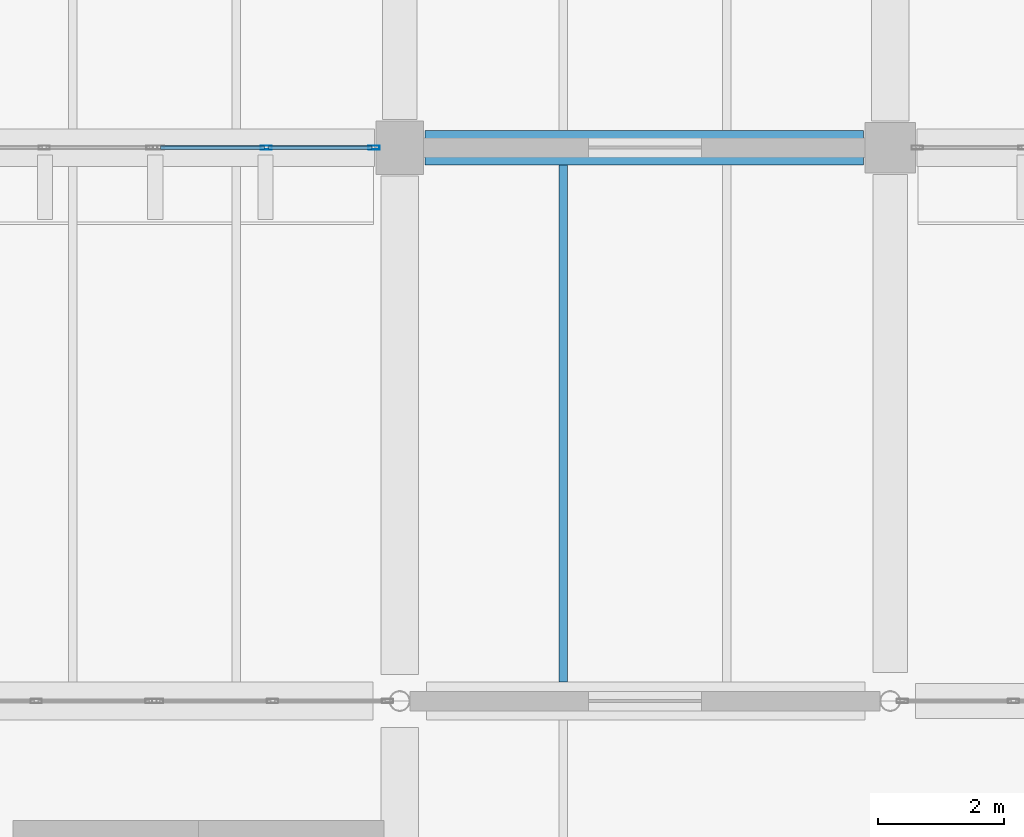
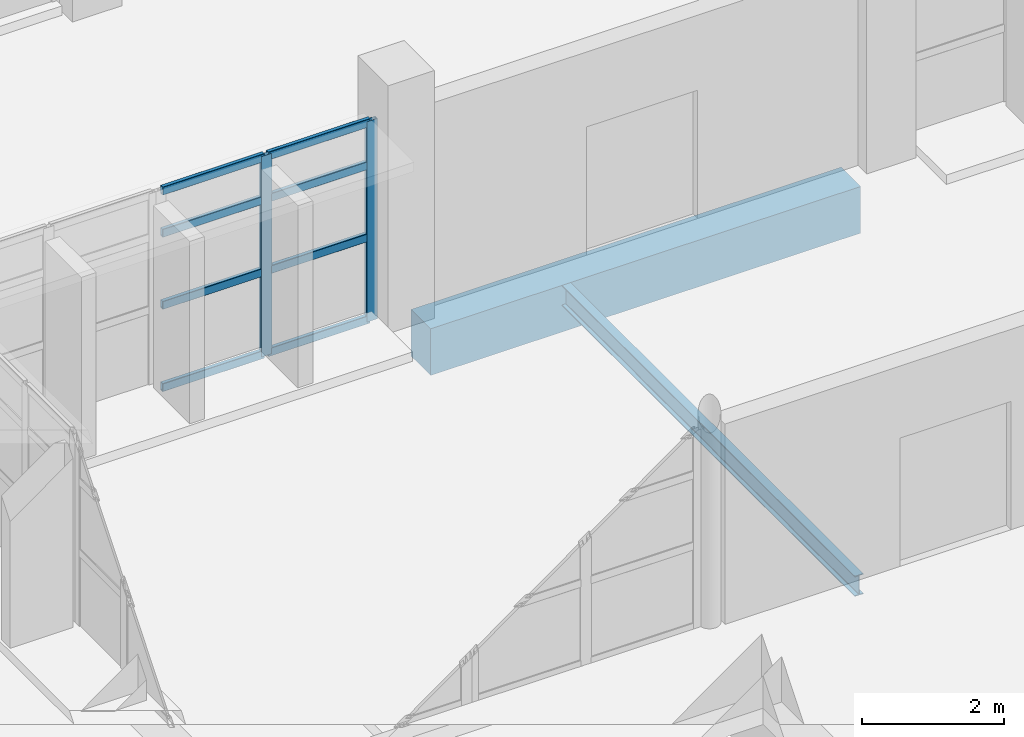
# One storey, part 19 of 76: 10 members, 2 beams, 1 element without a shape of its own.
"""IFC4 building model written with IfcOpenShell, lengths in metres."""

from ifc_helpers import new_model, si_unit, direction, frame, origin, origin_2d, place, context, subcontext, project, spatial, rectangle, hollow_rectangle, i_section, extrude, material, material_profile, profile_set, type_object, element, aggregate, save


model = new_model("IFC4")

# Units and contexts
model_context = context("Model", 3, precision=1e-05, world=origin(), true_north=direction((0.0, 1.0)))
body_context = subcontext(model_context, "Body", "Model", "MODEL_VIEW")
ifc_project = project(units=[si_unit("LENGTHUNIT", "METRE"), si_unit("AREAUNIT", "SQUARE_METRE"), si_unit("VOLUMEUNIT", "CUBIC_METRE"), si_unit("PLANEANGLEUNIT", "RADIAN"), si_unit("MASSUNIT", "GRAM", prefix="KILO")], contexts=[model_context])

# Site, building, storey
site_placement = place(None, origin())
site = spatial("IfcSite", under=ifc_project, at=site_placement, CompositionType="ELEMENT")
building_placement = place(site_placement, origin())
building = spatial("IfcBuilding", under=site, at=building_placement, Name="Varnakota Cinema and Media Centre", CompositionType="ELEMENT")
storey_placement = place(building_placement, origin())
storey = spatial("IfcBuildingStorey", under=building, at=storey_placement, Name="L00", CompositionType="ELEMENT", Elevation=0.0)

# Beams
ifc_material_1 = material(Name="Concrete M35", Category="concrete")
ifc_material_profile_1 = material_profile(ifc_material_1, rectangle(XDim=0.550048828125, YDim=0.800048828125, at=origin_2d()), Name="RCB 550x800")
ifc_profile_set_1 = profile_set([ifc_material_profile_1], Name="Concrete M35")
beam_type_1 = type_object("IfcBeamType", Name="BM-RC-550x800", PredefinedType="BEAM", material=ifc_profile_set_1)
beam_1_placement = place(storey_placement, frame((59.800048828125, 35.199951171875, -0.679931640625), z_axis=(1.0, 0.0, 0.0), x_axis=(0.0, 1.0, 0.0)))
element("IfcBeam", 1, at=beam_1_placement, inside=storey, type_object=beam_type_1, Name="L00 girder H-J/5", PredefinedType="BEAM", context=body_context, shape_type="SweptSolid", body=[
    extrude(rectangle(XDim=0.550048828125, YDim=0.800048828125, at=origin_2d()), origin(), (0.0, 0.0, 1.0), 6.974853515625),
])
ifc_material_2 = material(Name="Structural steel Grade 350 (E350)", Category="steel")
ifc_material_profile_2 = material_profile(ifc_material_2, i_section(OverallWidth=0.139892578125, OverallDepth=0.35009765625, WebThickness=0.008056640625, FlangeThickness=0.01416015625, FilletRadius=0.013916015625, at=origin_2d()), Name="ISMB 350")
ifc_profile_set_2 = profile_set([ifc_material_profile_2], Name="Structural steel Grade 350 (E350)")
beam_type_2 = type_object("IfcBeamType", Name="BM-ST-ISMB350", PredefinedType="JOIST", material=ifc_profile_set_2)
beam_2_placement = place(storey_placement, frame((62.0, 26.699951171875, -0.455078125), z_axis=(0.0, 1.0, 0.0), x_axis=(-1.0, 0.0, 0.0)))
element("IfcBeam", 2, at=beam_2_placement, inside=storey, type_object=beam_type_2, Name="L00 steel joist H-J/4-5 #1", PredefinedType="JOIST", context=body_context, shape_type="SweptSolid", body=[
    extrude(i_section(OverallWidth=0.139892578125, OverallDepth=0.35009765625, WebThickness=0.008056640625, FlangeThickness=0.01416015625, FilletRadius=0.013916015625, at=origin_2d()), origin(), (0.0, 0.0, 1.0), 8.22509765625),
])

# Curtain wall, members
ifc_material_3 = material(Name="Thermally broken anodised aluminium AW-6063", Category="aluminium")
curtain_wall_type = type_object("IfcCurtainWallType", Name="CW-STD-349x344", PredefinedType="USERDEFINED", material=ifc_material_3)
curtain_wall_placement = place(storey_placement, origin())
curtain_wall = element("IfcCurtainWall", 3, at=curtain_wall_placement, inside=storey, type_object=curtain_wall_type, Name="L00 curtain wall CW-L00-LINK-S-03-1", ObjectType="UNITISED CURTAIN WALL", PredefinedType="USERDEFINED")
ifc_material_4 = material(Name="Thermally broken anodised aluminium AW-6063", Category="aluminium")
ifc_material_profile_3 = material_profile(ifc_material_4, hollow_rectangle(XDim=0.06494140625, YDim=0.179931640625, WallThickness=0.00390625, InnerFilletRadius=0.00390625, OuterFilletRadius=0.008056640625, at=origin_2d()), Name="AL-MULLION 180x65x4")
ifc_profile_set_3 = profile_set([ifc_material_profile_3], Name="Thermally broken anodised aluminium AW-6063")
member_type_1 = type_object("IfcMemberType", Name="CWM-AL-180", PredefinedType="MULLION", material=ifc_profile_set_3)
member_1_placement = place(storey_placement, frame((58.992431640625, 35.199951171875, 0.0), z_axis=(0.0, 0.0, 1.0), x_axis=(0.0, -1.0, 0.0)))
member_1 = element("IfcMember", 4, at=member_1_placement, type_object=member_type_1, Name="CW12 mullion 1", PredefinedType="MULLION", context=body_context, shape_type="SweptSolid", body=[
    extrude(hollow_rectangle(XDim=0.06494140625, YDim=0.179931640625, WallThickness=0.00390625, InnerFilletRadius=0.00390625, OuterFilletRadius=0.008056640625, at=origin_2d()), origin(), (0.0, 0.0, 1.0), 3.43505859375),
])
member_2_placement = place(storey_placement, frame((57.27880859375, 35.199951171875, 0.0), z_axis=(0.0, 0.0, 1.0), x_axis=(0.0, -1.0, 0.0)))
member_2 = element("IfcMember", 5, at=member_2_placement, type_object=member_type_1, Name="CW12 mullion 2", PredefinedType="MULLION", context=body_context, shape_type="SweptSolid", body=[
    extrude(hollow_rectangle(XDim=0.06494140625, YDim=0.179931640625, WallThickness=0.00390625, InnerFilletRadius=0.00390625, OuterFilletRadius=0.008056640625, at=origin_2d()), origin(), (0.0, 0.0, 1.0), 3.43505859375),
])
ifc_material_5 = material(Name="Thermally broken anodised aluminium AW-6063", Category="aluminium")
ifc_material_profile_4 = material_profile(ifc_material_5, hollow_rectangle(XDim=0.06494140625, YDim=0.139892578125, WallThickness=0.00390625, InnerFilletRadius=0.00390625, OuterFilletRadius=0.008056640625, at=origin_2d()), Name="AL-TRANSOM 140x65x4")
ifc_profile_set_4 = profile_set([ifc_material_profile_4], Name="Thermally broken anodised aluminium AW-6063")
member_type_2 = type_object("IfcMemberType", Name="CWT-AL-140", PredefinedType="USERDEFINED", material=ifc_profile_set_4)
member_3_placement = place(storey_placement, frame((58.9599609375, 35.199951171875, 0.032470703125), z_axis=(-1.0, 0.0, 0.0), x_axis=(0.0, -1.0, 0.0)))
member_3 = element("IfcMember", 6, at=member_3_placement, type_object=member_type_2, Name="CW12 transom 1.1", ObjectType="TRANSOM", PredefinedType="USERDEFINED", context=body_context, shape_type="SweptSolid", body=[
    extrude(hollow_rectangle(XDim=0.06494140625, YDim=0.139892578125, WallThickness=0.00390625, InnerFilletRadius=0.00390625, OuterFilletRadius=0.008056640625, at=origin_2d()), origin(), (0.0, 0.0, 1.0), 1.648681640625),
])
member_4_placement = place(storey_placement, frame((58.9599609375, 35.199951171875, 1.442626953125), z_axis=(-1.0, 0.0, 0.0), x_axis=(0.0, -1.0, 0.0)))
member_4 = element("IfcMember", 7, at=member_4_placement, type_object=member_type_2, Name="CW12 transom 1.2", ObjectType="TRANSOM", PredefinedType="USERDEFINED", context=body_context, shape_type="SweptSolid", body=[
    extrude(hollow_rectangle(XDim=0.06494140625, YDim=0.139892578125, WallThickness=0.00390625, InnerFilletRadius=0.00390625, OuterFilletRadius=0.008056640625, at=origin_2d()), origin(), (0.0, 0.0, 1.0), 1.648681640625),
])
member_5_placement = place(storey_placement, frame((58.9599609375, 35.199951171875, 2.67919921875), z_axis=(-1.0, 0.0, 0.0), x_axis=(0.0, -1.0, 0.0)))
member_5 = element("IfcMember", 8, at=member_5_placement, type_object=member_type_2, Name="CW12 transom 1.3", ObjectType="TRANSOM", PredefinedType="USERDEFINED", context=body_context, shape_type="SweptSolid", body=[
    extrude(hollow_rectangle(XDim=0.06494140625, YDim=0.139892578125, WallThickness=0.00390625, InnerFilletRadius=0.00390625, OuterFilletRadius=0.008056640625, at=origin_2d()), origin(), (0.0, 0.0, 1.0), 1.648681640625),
])
member_6_placement = place(storey_placement, frame((58.9599609375, 35.199951171875, 3.402587890625), z_axis=(-1.0, 0.0, 0.0), x_axis=(0.0, -1.0, 0.0)))
member_6 = element("IfcMember", 9, at=member_6_placement, type_object=member_type_2, Name="CW12 transom 1.4", ObjectType="TRANSOM", PredefinedType="USERDEFINED", context=body_context, shape_type="SweptSolid", body=[
    extrude(hollow_rectangle(XDim=0.06494140625, YDim=0.139892578125, WallThickness=0.00390625, InnerFilletRadius=0.00390625, OuterFilletRadius=0.008056640625, at=origin_2d()), origin(), (0.0, 0.0, 1.0), 1.648681640625),
])
member_7_placement = place(storey_placement, frame((57.246337890625, 35.199951171875, 0.032470703125), z_axis=(-1.0, 0.0, 0.0), x_axis=(0.0, -1.0, 0.0)))
member_7 = element("IfcMember", 10, at=member_7_placement, type_object=member_type_2, Name="CW12 transom 2.1", ObjectType="TRANSOM", PredefinedType="USERDEFINED", context=body_context, shape_type="SweptSolid", body=[
    extrude(hollow_rectangle(XDim=0.06494140625, YDim=0.139892578125, WallThickness=0.00390625, InnerFilletRadius=0.00390625, OuterFilletRadius=0.008056640625, at=origin_2d()), origin(), (0.0, 0.0, 1.0), 1.64892578125),
])
member_8_placement = place(storey_placement, frame((57.246337890625, 35.199951171875, 1.442626953125), z_axis=(-1.0, 0.0, 0.0), x_axis=(0.0, -1.0, 0.0)))
member_8 = element("IfcMember", 11, at=member_8_placement, type_object=member_type_2, Name="CW12 transom 2.2", ObjectType="TRANSOM", PredefinedType="USERDEFINED", context=body_context, shape_type="SweptSolid", body=[
    extrude(hollow_rectangle(XDim=0.06494140625, YDim=0.139892578125, WallThickness=0.00390625, InnerFilletRadius=0.00390625, OuterFilletRadius=0.008056640625, at=origin_2d()), origin(), (0.0, 0.0, 1.0), 1.64892578125),
])
member_9_placement = place(storey_placement, frame((57.246337890625, 35.199951171875, 2.67919921875), z_axis=(-1.0, 0.0, 0.0), x_axis=(0.0, -1.0, 0.0)))
member_9 = element("IfcMember", 12, at=member_9_placement, type_object=member_type_2, Name="CW12 transom 2.3", ObjectType="TRANSOM", PredefinedType="USERDEFINED", context=body_context, shape_type="SweptSolid", body=[
    extrude(hollow_rectangle(XDim=0.06494140625, YDim=0.139892578125, WallThickness=0.00390625, InnerFilletRadius=0.00390625, OuterFilletRadius=0.008056640625, at=origin_2d()), origin(), (0.0, 0.0, 1.0), 1.64892578125),
])
member_10_placement = place(storey_placement, frame((57.246337890625, 35.199951171875, 3.402587890625), z_axis=(-1.0, 0.0, 0.0), x_axis=(0.0, -1.0, 0.0)))
member_10 = element("IfcMember", 13, at=member_10_placement, type_object=member_type_2, Name="CW12 transom 2.4", ObjectType="TRANSOM", PredefinedType="USERDEFINED", context=body_context, shape_type="SweptSolid", body=[
    extrude(hollow_rectangle(XDim=0.06494140625, YDim=0.139892578125, WallThickness=0.00390625, InnerFilletRadius=0.00390625, OuterFilletRadius=0.008056640625, at=origin_2d()), origin(), (0.0, 0.0, 1.0), 1.64892578125),
])
aggregate(curtain_wall, [member_1, member_2, member_3, member_4, member_5, member_6, member_7, member_8, member_9, member_10])

save(model, "model.ifc")
